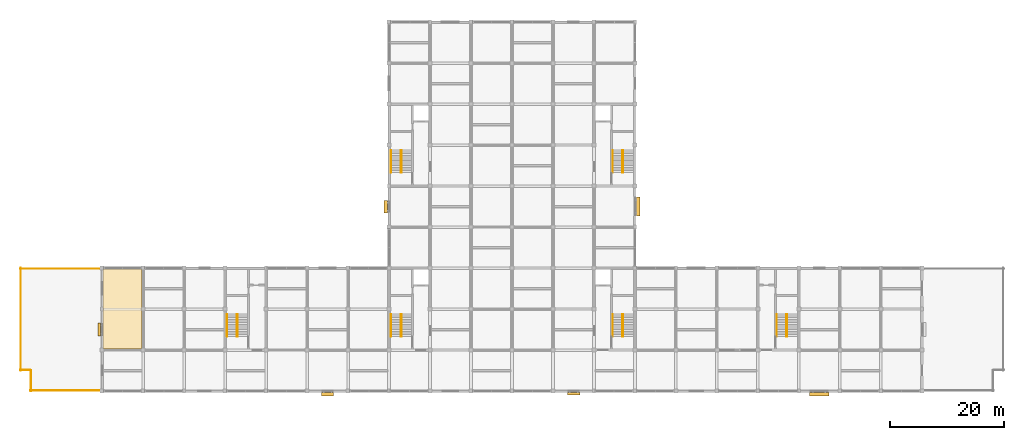
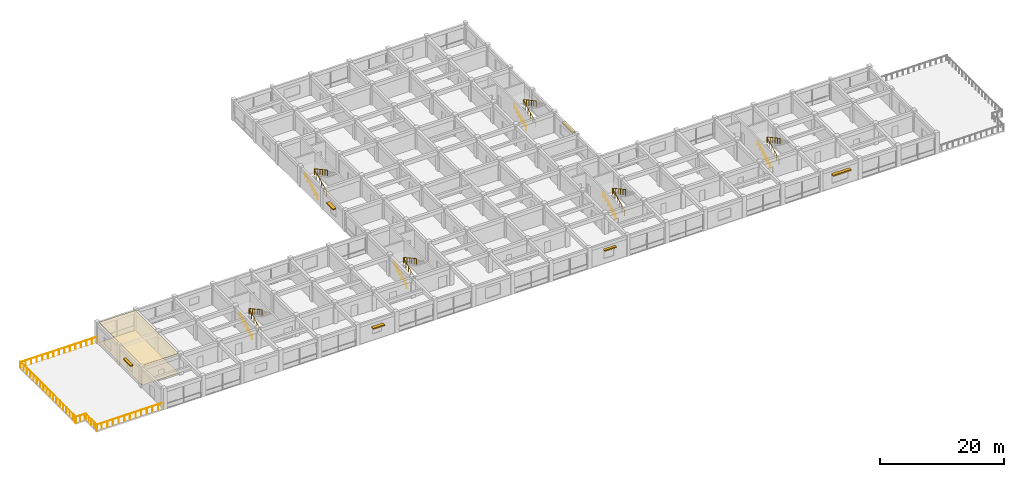
# One storey, part 30 of 31: 17 railings, 6 shading devices, 2 coverings.
"""IFC4 building model written with IfcOpenShell, lengths in metres."""

from ifc_helpers import new_model, si_unit, direction, frame, origin, origin_2d, place, context, subcontext, project, spatial, polyline, rectangle, circle, outline, extrude, material, layer, layer_set, type_object, element, save


model = new_model("IFC4")

# Units and contexts
model_context = context("Model", 3, precision=1e-05, world=origin(), true_north=direction((0.0, 1.0)))
body_context = subcontext(model_context, "Body", "Model", "MODEL_VIEW")
ifc_project = project(units=[si_unit("LENGTHUNIT", "METRE"), si_unit("AREAUNIT", "SQUARE_METRE"), si_unit("VOLUMEUNIT", "CUBIC_METRE"), si_unit("PLANEANGLEUNIT", "RADIAN"), si_unit("MASSUNIT", "GRAM", prefix="KILO")], contexts=[model_context])

# Site, building, storey
site_placement = place(None, origin())
site = spatial("IfcSite", under=ifc_project, at=site_placement, CompositionType="ELEMENT")
building_placement = place(site_placement, origin())
building = spatial("IfcBuilding", under=site, at=building_placement, Name="Cendaluz Park School", CompositionType="ELEMENT")
storey_placement = place(building_placement, frame((0.0, 0.0, 14.39990234375)))
storey = spatial("IfcBuildingStorey", under=building, at=storey_placement, Name="L03", CompositionType="ELEMENT", Elevation=14.39990234375)

# Coverings
ifc_material_1 = material(Name="Mineral Fibre Acoustic Tile")
ifc_layer_1 = layer(ifc_material_1, 0.030029296875)
ifc_layer_set_1 = layer_set([ifc_layer_1], Name="Mineral Fibre Acoustic Tile")
covering_type_1 = type_object("IfcCoveringType", Name="CV-CLG01", PredefinedType="CEILING", material=ifc_layer_set_1)
covering_1_placement = place(storey_placement, frame((0.0, 0.0, 3.91015625)))
element("IfcCovering", 1, at=covering_1_placement, inside=storey, type_object=covering_type_1, Name="CV-CLG-L03-01", PredefinedType="CEILING", context=body_context, shape_type="SweptSolid", body=[
    extrude(outline(polyline([(14.60009765625, 14.60009765625), (21.39990234375, 14.60009765625), (21.39990234375, 28.60009765625), (14.60009765625, 28.60009765625), (14.60009765625, 14.60009765625)])), origin(), (0.0, 0.0, 1.0), 0.030029296875),
])
ifc_material_2 = material(Name="Polished Terrazzo Tile")
ifc_layer_2 = layer(ifc_material_2, 0.02001953125)
ifc_layer_set_2 = layer_set([ifc_layer_2], Name="Polished Terrazzo Tile")
covering_type_2 = type_object("IfcCoveringType", Name="CV-FLR01", PredefinedType="FLOORING", material=ifc_layer_set_2)
covering_2_placement = place(storey_placement, origin())
element("IfcCovering", 2, at=covering_2_placement, inside=storey, type_object=covering_type_2, Name="CV-FLR-L03-01", PredefinedType="FLOORING", context=body_context, shape_type="SweptSolid", body=[
    extrude(outline(polyline([(14.60009765625, 14.60009765625), (21.39990234375, 14.60009765625), (21.39990234375, 28.60009765625), (14.60009765625, 28.60009765625), (14.60009765625, 14.60009765625)])), origin(), (0.0, 0.0, 1.0), 0.02001953125),
])

# Railings
ifc_material_3 = material(Name="Wrought Iron")
railing_type_1 = type_object("IfcRailingType", Name="GR-PD01", PredefinedType="BALUSTRADE", material=ifc_material_3)
railing_1_placement = place(storey_placement, frame((0.0, 28.699951171875, 0.0)))
element("IfcRailing", 3, at=railing_1_placement, inside=storey, type_object=railing_type_1, Name="GR-PD-L03-001", PredefinedType="BALUSTRADE", context=body_context, shape_type="SweptSolid", body=[
    extrude(circle(Radius=0.02392578125, at=origin_2d()), frame((0.0, 0.0, 1.1259765625), z_axis=(1.0, 0.0, 0.0), x_axis=(0.0, 1.0, 0.0)), (0.0, 0.0, 1.0), 14.39990234375),
    extrude(circle(Radius=0.02099609375, at=origin_2d()), origin(), (0.0, 0.0, 1.0), 1.101806640625),
    extrude(circle(Radius=0.02099609375, at=origin_2d()), frame((1.028564453125, 0.0, 0.0)), (0.0, 0.0, 1.0), 1.101806640625),
    extrude(circle(Radius=0.02099609375, at=origin_2d()), frame((2.05712890625, 0.0, 0.0)), (0.0, 0.0, 1.0), 1.101806640625),
    extrude(circle(Radius=0.02099609375, at=origin_2d()), frame((3.085693359375, 0.0, 0.0)), (0.0, 0.0, 1.0), 1.101806640625),
    extrude(circle(Radius=0.02099609375, at=origin_2d()), frame((4.1142578125, 0.0, 0.0)), (0.0, 0.0, 1.0), 1.101806640625),
    extrude(circle(Radius=0.02099609375, at=origin_2d()), frame((5.142822265625, 0.0, 0.0)), (0.0, 0.0, 1.0), 1.101806640625),
    extrude(circle(Radius=0.02099609375, at=origin_2d()), frame((6.17138671875, 0.0, 0.0)), (0.0, 0.0, 1.0), 1.101806640625),
    extrude(circle(Radius=0.02099609375, at=origin_2d()), frame((7.199951171875, 0.0, 0.0)), (0.0, 0.0, 1.0), 1.101806640625),
    extrude(circle(Radius=0.02099609375, at=origin_2d()), frame((8.228515625, 0.0, 0.0)), (0.0, 0.0, 1.0), 1.101806640625),
    extrude(circle(Radius=0.02099609375, at=origin_2d()), frame((9.257080078125, 0.0, 0.0)), (0.0, 0.0, 1.0), 1.101806640625),
    extrude(circle(Radius=0.02099609375, at=origin_2d()), frame((10.28564453125, 0.0, 0.0)), (0.0, 0.0, 1.0), 1.101806640625),
    extrude(circle(Radius=0.02099609375, at=origin_2d()), frame((11.314208984375, 0.0, 0.0)), (0.0, 0.0, 1.0), 1.101806640625),
    extrude(circle(Radius=0.02099609375, at=origin_2d()), frame((12.3427734375, 0.0, 0.0)), (0.0, 0.0, 1.0), 1.101806640625),
    extrude(circle(Radius=0.02099609375, at=origin_2d()), frame((13.371337890625, 0.0, 0.0)), (0.0, 0.0, 1.0), 1.101806640625),
    extrude(circle(Radius=0.02099609375, at=origin_2d()), frame((14.39990234375, 0.0, 0.0)), (0.0, 0.0, 1.0), 1.101806640625),
])
railing_2_placement = place(storey_placement, frame((14.39990234375, 7.300048828125, 0.0)))
element("IfcRailing", 4, at=railing_2_placement, inside=storey, type_object=railing_type_1, Name="GR-PD-L03-002", PredefinedType="BALUSTRADE", context=body_context, shape_type="SweptSolid", body=[
    extrude(circle(Radius=0.02392578125, at=origin_2d()), frame((0.0, 0.0, 1.1259765625), z_axis=(-1.0, 0.0, 0.0), x_axis=(0.0, -1.0, 0.0)), (0.0, 0.0, 1.0), 12.599853515625),
    extrude(circle(Radius=0.02099609375, at=origin_2d()), origin(), (0.0, 0.0, 1.0), 1.101806640625),
    extrude(circle(Radius=0.02099609375, at=origin_2d()), frame((-1.050048828125, 0.0, 0.0)), (0.0, 0.0, 1.0), 1.101806640625),
    extrude(circle(Radius=0.02099609375, at=origin_2d()), frame((-2.10009765625, 0.0, 0.0)), (0.0, 0.0, 1.0), 1.101806640625),
    extrude(circle(Radius=0.02099609375, at=origin_2d()), frame((-3.14990234375, 0.0, 0.0)), (0.0, 0.0, 1.0), 1.101806640625),
    extrude(circle(Radius=0.02099609375, at=origin_2d()), frame((-4.199951171875, 0.0, 0.0)), (0.0, 0.0, 1.0), 1.101806640625),
    extrude(circle(Radius=0.02099609375, at=origin_2d()), frame((-5.25, 0.0, 0.0)), (0.0, 0.0, 1.0), 1.101806640625),
    extrude(circle(Radius=0.02099609375, at=origin_2d()), frame((-6.2998046875, 0.0, 0.0)), (0.0, 0.0, 1.0), 1.101806640625),
    extrude(circle(Radius=0.02099609375, at=origin_2d()), frame((-7.349853515625, 0.0, 0.0)), (0.0, 0.0, 1.0), 1.101806640625),
    extrude(circle(Radius=0.02099609375, at=origin_2d()), frame((-8.39990234375, 0.0, 0.0)), (0.0, 0.0, 1.0), 1.101806640625),
    extrude(circle(Radius=0.02099609375, at=origin_2d()), frame((-9.449951171875, 0.0, 0.0)), (0.0, 0.0, 1.0), 1.101806640625),
    extrude(circle(Radius=0.02099609375, at=origin_2d()), frame((-10.5, 0.0, 0.0)), (0.0, 0.0, 1.0), 1.101806640625),
    extrude(circle(Radius=0.02099609375, at=origin_2d()), frame((-11.5498046875, 0.0, 0.0)), (0.0, 0.0, 1.0), 1.101806640625),
    extrude(circle(Radius=0.02099609375, at=origin_2d()), frame((-12.599853515625, 0.0, 0.0)), (0.0, 0.0, 1.0), 1.101806640625),
])
railing_3_placement = place(storey_placement, frame((1.89990234375, 7.199951171875, 0.0)))
element("IfcRailing", 5, at=railing_3_placement, inside=storey, type_object=railing_type_1, Name="GR-PD-L03-003", PredefinedType="BALUSTRADE", context=body_context, shape_type="SweptSolid", body=[
    extrude(circle(Radius=0.02392578125, at=origin_2d()), frame((0.0, 0.0, 1.1259765625), z_axis=(0.0, 1.0, 0.0), x_axis=(-1.0, 0.0, 0.0)), (0.0, 0.0, 1.0), 3.60009765625),
    extrude(circle(Radius=0.02099609375, at=origin_2d()), origin(), (0.0, 0.0, 1.0), 1.101806640625),
    extrude(circle(Radius=0.02099609375, at=origin_2d()), frame((0.0, 0.89990234375, 0.0)), (0.0, 0.0, 1.0), 1.101806640625),
    extrude(circle(Radius=0.02099609375, at=origin_2d()), frame((0.0, 1.800048828125, 0.0)), (0.0, 0.0, 1.0), 1.101806640625),
    extrude(circle(Radius=0.02099609375, at=origin_2d()), frame((0.0, 2.7001953125, 0.0)), (0.0, 0.0, 1.0), 1.101806640625),
    extrude(circle(Radius=0.02099609375, at=origin_2d()), frame((0.0, 3.60009765625, 0.0)), (0.0, 0.0, 1.0), 1.101806640625),
])
railing_4_placement = place(storey_placement, frame((1.800048828125, 10.89990234375, 0.0)))
element("IfcRailing", 6, at=railing_4_placement, inside=storey, type_object=railing_type_1, Name="GR-PD-L03-004", PredefinedType="BALUSTRADE", context=body_context, shape_type="SweptSolid", body=[
    extrude(circle(Radius=0.02392578125, at=origin_2d()), frame((0.0, 0.0, 1.1259765625), z_axis=(-1.0, 0.0, 0.0), x_axis=(0.0, -1.0, 0.0)), (0.0, 0.0, 1.0), 1.800048828125),
    extrude(circle(Radius=0.02099609375, at=origin_2d()), origin(), (0.0, 0.0, 1.0), 1.101806640625),
    extrude(circle(Radius=0.02099609375, at=origin_2d()), frame((-0.89990234375, 0.0, 0.0)), (0.0, 0.0, 1.0), 1.101806640625),
    extrude(circle(Radius=0.02099609375, at=origin_2d()), frame((-1.800048828125, 0.0, 0.0)), (0.0, 0.0, 1.0), 1.101806640625),
])
railing_5_placement = place(storey_placement, frame((0.10009765625, 10.800048828125, 0.0)))
element("IfcRailing", 7, at=railing_5_placement, inside=storey, type_object=railing_type_1, Name="GR-PD-L03-005", PredefinedType="BALUSTRADE", context=body_context, shape_type="SweptSolid", body=[
    extrude(circle(Radius=0.02392578125, at=origin_2d()), frame((0.0, 0.0, 1.1259765625), z_axis=(0.0, 1.0, 0.0), x_axis=(-1.0, 0.0, 0.0)), (0.0, 0.0, 1.0), 18.0),
    extrude(circle(Radius=0.02099609375, at=origin_2d()), origin(), (0.0, 0.0, 1.0), 1.101806640625),
    extrude(circle(Radius=0.02099609375, at=origin_2d()), frame((0.0, 1.058837890625, 0.0)), (0.0, 0.0, 1.0), 1.101806640625),
    extrude(circle(Radius=0.02099609375, at=origin_2d()), frame((0.0, 2.11767578125, 0.0)), (0.0, 0.0, 1.0), 1.101806640625),
    extrude(circle(Radius=0.02099609375, at=origin_2d()), frame((0.0, 3.176513671875, 0.0)), (0.0, 0.0, 1.0), 1.101806640625),
    extrude(circle(Radius=0.02099609375, at=origin_2d()), frame((0.0, 4.2353515625, 0.0)), (0.0, 0.0, 1.0), 1.101806640625),
    extrude(circle(Radius=0.02099609375, at=origin_2d()), frame((0.0, 5.294189453125, 0.0)), (0.0, 0.0, 1.0), 1.101806640625),
    extrude(circle(Radius=0.02099609375, at=origin_2d()), frame((0.0, 6.35302734375, 0.0)), (0.0, 0.0, 1.0), 1.101806640625),
    extrude(circle(Radius=0.02099609375, at=origin_2d()), frame((0.0, 7.411865234375, 0.0)), (0.0, 0.0, 1.0), 1.101806640625),
    extrude(circle(Radius=0.02099609375, at=origin_2d()), frame((0.0, 8.470703125, 0.0)), (0.0, 0.0, 1.0), 1.101806640625),
    extrude(circle(Radius=0.02099609375, at=origin_2d()), frame((0.0, 9.529296875, 0.0)), (0.0, 0.0, 1.0), 1.101806640625),
    extrude(circle(Radius=0.02099609375, at=origin_2d()), frame((0.0, 10.588134765625, 0.0)), (0.0, 0.0, 1.0), 1.101806640625),
    extrude(circle(Radius=0.02099609375, at=origin_2d()), frame((0.0, 11.64697265625, 0.0)), (0.0, 0.0, 1.0), 1.101806640625),
    extrude(circle(Radius=0.02099609375, at=origin_2d()), frame((0.0, 12.705810546875, 0.0)), (0.0, 0.0, 1.0), 1.101806640625),
    extrude(circle(Radius=0.02099609375, at=origin_2d()), frame((0.0, 13.7646484375, 0.0)), (0.0, 0.0, 1.0), 1.101806640625),
    extrude(circle(Radius=0.02099609375, at=origin_2d()), frame((0.0, 14.823486328125, 0.0)), (0.0, 0.0, 1.0), 1.101806640625),
    extrude(circle(Radius=0.02099609375, at=origin_2d()), frame((0.0, 15.88232421875, 0.0)), (0.0, 0.0, 1.0), 1.101806640625),
    extrude(circle(Radius=0.02099609375, at=origin_2d()), frame((0.0, 16.941162109375, 0.0)), (0.0, 0.0, 1.0), 1.101806640625),
    extrude(circle(Radius=0.02099609375, at=origin_2d()), frame((0.0, 18.0, 0.0)), (0.0, 0.0, 1.0), 1.101806640625),
])
railing_type_2 = type_object("IfcRailingType", Name="GR-ST01", PredefinedType="BALUSTRADE", material=ifc_material_3)
railing_6_placement = place(storey_placement, frame((66.840087890625, 16.800048828125, 0.150146484375)))
element("IfcRailing", 8, at=railing_6_placement, inside=storey, type_object=railing_type_2, Name="GR-ST-009", PredefinedType="BALUSTRADE", context=body_context, shape_type="SweptSolid", body=[
    extrude(circle(Radius=0.02392578125, at=origin_2d()), frame((0.0, 0.0, 1.076171875), z_axis=(0.0, 0.894427191, 0.4472135955), x_axis=(-1.0, 0.0, 0.0)), (0.0, 0.0, 1.0), 4.360107421875),
    extrude(circle(Radius=0.02392578125, at=origin_2d()), frame((0.0, 3.89990234375, 3.02587890625), z_axis=(1.0, 0.0, 0.0), x_axis=(0.0, 1.0, 0.0)), (0.0, 0.0, 1.0), 0.169921875),
    extrude(circle(Radius=0.02392578125, at=origin_2d()), frame((0.169921875, 3.89990234375, 3.02587890625), z_axis=(0.0, -0.880456940745, 0.474126117709), x_axis=(1.0, 0.0, 0.0)), (0.0, 0.0, 1.0), 4.429443359375),
    extrude(circle(Radius=0.02099609375, at=origin_2d()), origin(), (0.0, 0.0, 1.0), 1.052001953125),
    extrude(circle(Radius=0.02099609375, at=origin_2d()), frame((0.0, 0.780029296875, 0.389892578125)), (0.0, 0.0, 1.0), 1.052001953125),
    extrude(circle(Radius=0.02099609375, at=origin_2d()), frame((0.0, 1.56005859375, 0.780029296875)), (0.0, 0.0, 1.0), 1.052001953125),
    extrude(circle(Radius=0.02099609375, at=origin_2d()), frame((0.0, 2.33984375, 1.169921875)), (0.0, 0.0, 1.0), 1.052001953125),
    extrude(circle(Radius=0.02099609375, at=origin_2d()), frame((0.0, 3.119873046875, 1.56005859375)), (0.0, 0.0, 1.0), 1.052001953125),
    extrude(circle(Radius=0.02099609375, at=origin_2d()), frame((0.0, 3.89990234375, 1.949951171875)), (0.0, 0.0, 1.0), 1.052001953125),
    extrude(circle(Radius=0.02099609375, at=origin_2d()), frame((0.169921875, 3.89990234375, 1.949951171875)), (0.0, 0.0, 1.0), 1.052001953125),
    extrude(circle(Radius=0.02099609375, at=origin_2d()), frame((0.169921875, 3.119873046875, 2.369873046875)), (0.0, 0.0, 1.0), 1.052001953125),
    extrude(circle(Radius=0.02099609375, at=origin_2d()), frame((0.169921875, 2.33984375, 2.7900390625)), (0.0, 0.0, 1.0), 1.052001953125),
    extrude(circle(Radius=0.02099609375, at=origin_2d()), frame((0.169921875, 1.56005859375, 3.2099609375)), (0.0, 0.0, 1.0), 1.052001953125),
    extrude(circle(Radius=0.02099609375, at=origin_2d()), frame((0.169921875, 0.780029296875, 3.630126953125)), (0.0, 0.0, 1.0), 1.052001953125),
    extrude(circle(Radius=0.02099609375, at=origin_2d()), frame((0.169921875, 0.0, 4.050048828125)), (0.0, 0.0, 1.0), 1.052001953125),
])
railing_7_placement = place(storey_placement, frame((105.7900390625, 16.800048828125, 0.150146484375)))
element("IfcRailing", 9, at=railing_7_placement, inside=storey, type_object=railing_type_2, Name="GR-ST-044", PredefinedType="BALUSTRADE", context=body_context, shape_type="SweptSolid", body=[
    extrude(circle(Radius=0.02392578125, at=origin_2d()), frame((0.0, 0.0, 1.076171875), z_axis=(0.0, 0.894427191, 0.4472135955), x_axis=(-1.0, 0.0, 0.0)), (0.0, 0.0, 1.0), 4.360107421875),
    extrude(circle(Radius=0.02392578125, at=origin_2d()), frame((0.0, 3.89990234375, 3.02587890625), z_axis=(1.0, 0.0, 0.0), x_axis=(0.0, 1.0, 0.0)), (0.0, 0.0, 1.0), 0.169921875),
    extrude(circle(Radius=0.02392578125, at=origin_2d()), frame((0.169921875, 3.89990234375, 3.02587890625), z_axis=(0.0, -0.880456940745, 0.474126117709), x_axis=(1.0, 0.0, 0.0)), (0.0, 0.0, 1.0), 4.429443359375),
    extrude(circle(Radius=0.02099609375, at=origin_2d()), origin(), (0.0, 0.0, 1.0), 1.052001953125),
    extrude(circle(Radius=0.02099609375, at=origin_2d()), frame((0.0, 0.780029296875, 0.389892578125)), (0.0, 0.0, 1.0), 1.052001953125),
    extrude(circle(Radius=0.02099609375, at=origin_2d()), frame((0.0, 1.56005859375, 0.780029296875)), (0.0, 0.0, 1.0), 1.052001953125),
    extrude(circle(Radius=0.02099609375, at=origin_2d()), frame((0.0, 2.33984375, 1.169921875)), (0.0, 0.0, 1.0), 1.052001953125),
    extrude(circle(Radius=0.02099609375, at=origin_2d()), frame((0.0, 3.119873046875, 1.56005859375)), (0.0, 0.0, 1.0), 1.052001953125),
    extrude(circle(Radius=0.02099609375, at=origin_2d()), frame((0.0, 3.89990234375, 1.949951171875)), (0.0, 0.0, 1.0), 1.052001953125),
    extrude(circle(Radius=0.02099609375, at=origin_2d()), frame((0.169921875, 3.89990234375, 1.949951171875)), (0.0, 0.0, 1.0), 1.052001953125),
    extrude(circle(Radius=0.02099609375, at=origin_2d()), frame((0.169921875, 3.119873046875, 2.369873046875)), (0.0, 0.0, 1.0), 1.052001953125),
    extrude(circle(Radius=0.02099609375, at=origin_2d()), frame((0.169921875, 2.33984375, 2.7900390625)), (0.0, 0.0, 1.0), 1.052001953125),
    extrude(circle(Radius=0.02099609375, at=origin_2d()), frame((0.169921875, 1.56005859375, 3.2099609375)), (0.0, 0.0, 1.0), 1.052001953125),
    extrude(circle(Radius=0.02099609375, at=origin_2d()), frame((0.169921875, 0.780029296875, 3.630126953125)), (0.0, 0.0, 1.0), 1.052001953125),
    extrude(circle(Radius=0.02099609375, at=origin_2d()), frame((0.169921875, 0.0, 4.050048828125)), (0.0, 0.0, 1.0), 1.052001953125),
])
railing_8_placement = place(storey_placement, frame((66.840087890625, 45.60009765625, 0.150146484375)))
element("IfcRailing", 10, at=railing_8_placement, inside=storey, type_object=railing_type_2, Name="GR-ST-079", PredefinedType="BALUSTRADE", context=body_context, shape_type="SweptSolid", body=[
    extrude(circle(Radius=0.02392578125, at=origin_2d()), frame((0.0, 0.0, 1.076171875), z_axis=(0.0, 0.894427191, 0.4472135955), x_axis=(-1.0, 0.0, 0.0)), (0.0, 0.0, 1.0), 4.360107421875),
    extrude(circle(Radius=0.02392578125, at=origin_2d()), frame((0.0, 3.89990234375, 3.02587890625), z_axis=(1.0, 0.0, 0.0), x_axis=(0.0, 1.0, 0.0)), (0.0, 0.0, 1.0), 0.169921875),
    extrude(circle(Radius=0.02392578125, at=origin_2d()), frame((0.169921875, 3.89990234375, 3.02587890625), z_axis=(0.0, -0.880456940745, 0.474126117709), x_axis=(1.0, 0.0, 0.0)), (0.0, 0.0, 1.0), 4.429443359375),
    extrude(circle(Radius=0.02099609375, at=origin_2d()), origin(), (0.0, 0.0, 1.0), 1.052001953125),
    extrude(circle(Radius=0.02099609375, at=origin_2d()), frame((0.0, 0.780029296875, 0.389892578125)), (0.0, 0.0, 1.0), 1.052001953125),
    extrude(circle(Radius=0.02099609375, at=origin_2d()), frame((0.0, 1.56005859375, 0.780029296875)), (0.0, 0.0, 1.0), 1.052001953125),
    extrude(circle(Radius=0.02099609375, at=origin_2d()), frame((0.0, 2.33984375, 1.169921875)), (0.0, 0.0, 1.0), 1.052001953125),
    extrude(circle(Radius=0.02099609375, at=origin_2d()), frame((0.0, 3.119873046875, 1.56005859375)), (0.0, 0.0, 1.0), 1.052001953125),
    extrude(circle(Radius=0.02099609375, at=origin_2d()), frame((0.0, 3.89990234375, 1.949951171875)), (0.0, 0.0, 1.0), 1.052001953125),
    extrude(circle(Radius=0.02099609375, at=origin_2d()), frame((0.169921875, 3.89990234375, 1.949951171875)), (0.0, 0.0, 1.0), 1.052001953125),
    extrude(circle(Radius=0.02099609375, at=origin_2d()), frame((0.169921875, 3.119873046875, 2.369873046875)), (0.0, 0.0, 1.0), 1.052001953125),
    extrude(circle(Radius=0.02099609375, at=origin_2d()), frame((0.169921875, 2.33984375, 2.7900390625)), (0.0, 0.0, 1.0), 1.052001953125),
    extrude(circle(Radius=0.02099609375, at=origin_2d()), frame((0.169921875, 1.56005859375, 3.2099609375)), (0.0, 0.0, 1.0), 1.052001953125),
    extrude(circle(Radius=0.02099609375, at=origin_2d()), frame((0.169921875, 0.780029296875, 3.630126953125)), (0.0, 0.0, 1.0), 1.052001953125),
    extrude(circle(Radius=0.02099609375, at=origin_2d()), frame((0.169921875, 0.0, 4.050048828125)), (0.0, 0.0, 1.0), 1.052001953125),
])
railing_9_placement = place(storey_placement, frame((105.7900390625, 45.60009765625, 0.150146484375)))
element("IfcRailing", 11, at=railing_9_placement, inside=storey, type_object=railing_type_2, Name="GR-ST-114", PredefinedType="BALUSTRADE", context=body_context, shape_type="SweptSolid", body=[
    extrude(circle(Radius=0.02392578125, at=origin_2d()), frame((0.0, 0.0, 1.076171875), z_axis=(0.0, 0.894427191, 0.4472135955), x_axis=(-1.0, 0.0, 0.0)), (0.0, 0.0, 1.0), 4.360107421875),
    extrude(circle(Radius=0.02392578125, at=origin_2d()), frame((0.0, 3.89990234375, 3.02587890625), z_axis=(1.0, 0.0, 0.0), x_axis=(0.0, 1.0, 0.0)), (0.0, 0.0, 1.0), 0.169921875),
    extrude(circle(Radius=0.02392578125, at=origin_2d()), frame((0.169921875, 3.89990234375, 3.02587890625), z_axis=(0.0, -0.880456940745, 0.474126117709), x_axis=(1.0, 0.0, 0.0)), (0.0, 0.0, 1.0), 4.429443359375),
    extrude(circle(Radius=0.02099609375, at=origin_2d()), origin(), (0.0, 0.0, 1.0), 1.052001953125),
    extrude(circle(Radius=0.02099609375, at=origin_2d()), frame((0.0, 0.780029296875, 0.389892578125)), (0.0, 0.0, 1.0), 1.052001953125),
    extrude(circle(Radius=0.02099609375, at=origin_2d()), frame((0.0, 1.56005859375, 0.780029296875)), (0.0, 0.0, 1.0), 1.052001953125),
    extrude(circle(Radius=0.02099609375, at=origin_2d()), frame((0.0, 2.33984375, 1.169921875)), (0.0, 0.0, 1.0), 1.052001953125),
    extrude(circle(Radius=0.02099609375, at=origin_2d()), frame((0.0, 3.119873046875, 1.56005859375)), (0.0, 0.0, 1.0), 1.052001953125),
    extrude(circle(Radius=0.02099609375, at=origin_2d()), frame((0.0, 3.89990234375, 1.949951171875)), (0.0, 0.0, 1.0), 1.052001953125),
    extrude(circle(Radius=0.02099609375, at=origin_2d()), frame((0.169921875, 3.89990234375, 1.949951171875)), (0.0, 0.0, 1.0), 1.052001953125),
    extrude(circle(Radius=0.02099609375, at=origin_2d()), frame((0.169921875, 3.119873046875, 2.369873046875)), (0.0, 0.0, 1.0), 1.052001953125),
    extrude(circle(Radius=0.02099609375, at=origin_2d()), frame((0.169921875, 2.33984375, 2.7900390625)), (0.0, 0.0, 1.0), 1.052001953125),
    extrude(circle(Radius=0.02099609375, at=origin_2d()), frame((0.169921875, 1.56005859375, 3.2099609375)), (0.0, 0.0, 1.0), 1.052001953125),
    extrude(circle(Radius=0.02099609375, at=origin_2d()), frame((0.169921875, 0.780029296875, 3.630126953125)), (0.0, 0.0, 1.0), 1.052001953125),
    extrude(circle(Radius=0.02099609375, at=origin_2d()), frame((0.169921875, 0.0, 4.050048828125)), (0.0, 0.0, 1.0), 1.052001953125),
])
railing_10_placement = place(storey_placement, frame((38.0400390625, 16.800048828125, 0.150146484375)))
element("IfcRailing", 12, at=railing_10_placement, inside=storey, type_object=railing_type_2, Name="GR-ST-149", PredefinedType="BALUSTRADE", context=body_context, shape_type="SweptSolid", body=[
    extrude(circle(Radius=0.02392578125, at=origin_2d()), frame((0.0, 0.0, 1.076171875), z_axis=(0.0, 0.894427191, 0.4472135955), x_axis=(-1.0, 0.0, 0.0)), (0.0, 0.0, 1.0), 4.360107421875),
    extrude(circle(Radius=0.02392578125, at=origin_2d()), frame((0.0, 3.89990234375, 3.02587890625), z_axis=(1.0, 0.0, 0.0), x_axis=(0.0, 1.0, 0.0)), (0.0, 0.0, 1.0), 0.169921875),
    extrude(circle(Radius=0.02392578125, at=origin_2d()), frame((0.169921875, 3.89990234375, 3.02587890625), z_axis=(0.0, -0.880456940745, 0.474126117709), x_axis=(1.0, 0.0, 0.0)), (0.0, 0.0, 1.0), 4.429443359375),
    extrude(circle(Radius=0.02099609375, at=origin_2d()), origin(), (0.0, 0.0, 1.0), 1.052001953125),
    extrude(circle(Radius=0.02099609375, at=origin_2d()), frame((0.0, 0.780029296875, 0.389892578125)), (0.0, 0.0, 1.0), 1.052001953125),
    extrude(circle(Radius=0.02099609375, at=origin_2d()), frame((0.0, 1.56005859375, 0.780029296875)), (0.0, 0.0, 1.0), 1.052001953125),
    extrude(circle(Radius=0.02099609375, at=origin_2d()), frame((0.0, 2.33984375, 1.169921875)), (0.0, 0.0, 1.0), 1.052001953125),
    extrude(circle(Radius=0.02099609375, at=origin_2d()), frame((0.0, 3.119873046875, 1.56005859375)), (0.0, 0.0, 1.0), 1.052001953125),
    extrude(circle(Radius=0.02099609375, at=origin_2d()), frame((0.0, 3.89990234375, 1.949951171875)), (0.0, 0.0, 1.0), 1.052001953125),
    extrude(circle(Radius=0.02099609375, at=origin_2d()), frame((0.169921875, 3.89990234375, 1.949951171875)), (0.0, 0.0, 1.0), 1.052001953125),
    extrude(circle(Radius=0.02099609375, at=origin_2d()), frame((0.169921875, 3.119873046875, 2.369873046875)), (0.0, 0.0, 1.0), 1.052001953125),
    extrude(circle(Radius=0.02099609375, at=origin_2d()), frame((0.169921875, 2.33984375, 2.7900390625)), (0.0, 0.0, 1.0), 1.052001953125),
    extrude(circle(Radius=0.02099609375, at=origin_2d()), frame((0.169921875, 1.56005859375, 3.2099609375)), (0.0, 0.0, 1.0), 1.052001953125),
    extrude(circle(Radius=0.02099609375, at=origin_2d()), frame((0.169921875, 0.780029296875, 3.630126953125)), (0.0, 0.0, 1.0), 1.052001953125),
    extrude(circle(Radius=0.02099609375, at=origin_2d()), frame((0.169921875, 0.0, 4.050048828125)), (0.0, 0.0, 1.0), 1.052001953125),
])
railing_11_placement = place(storey_placement, frame((134.590087890625, 16.800048828125, 0.150146484375)))
element("IfcRailing", 13, at=railing_11_placement, inside=storey, type_object=railing_type_2, Name="GR-ST-166", PredefinedType="BALUSTRADE", context=body_context, shape_type="SweptSolid", body=[
    extrude(circle(Radius=0.02392578125, at=origin_2d()), frame((0.0, 0.0, 1.076171875), z_axis=(0.0, 0.894427191, 0.4472135955), x_axis=(-1.0, 0.0, 0.0)), (0.0, 0.0, 1.0), 4.360107421875),
    extrude(circle(Radius=0.02392578125, at=origin_2d()), frame((0.0, 3.89990234375, 3.02587890625), z_axis=(1.0, 0.0, 0.0), x_axis=(0.0, 1.0, 0.0)), (0.0, 0.0, 1.0), 0.169921875),
    extrude(circle(Radius=0.02392578125, at=origin_2d()), frame((0.169921875, 3.89990234375, 3.02587890625), z_axis=(0.0, -0.880456940745, 0.474126117709), x_axis=(1.0, 0.0, 0.0)), (0.0, 0.0, 1.0), 4.429443359375),
    extrude(circle(Radius=0.02099609375, at=origin_2d()), origin(), (0.0, 0.0, 1.0), 1.052001953125),
    extrude(circle(Radius=0.02099609375, at=origin_2d()), frame((0.0, 0.780029296875, 0.389892578125)), (0.0, 0.0, 1.0), 1.052001953125),
    extrude(circle(Radius=0.02099609375, at=origin_2d()), frame((0.0, 1.56005859375, 0.780029296875)), (0.0, 0.0, 1.0), 1.052001953125),
    extrude(circle(Radius=0.02099609375, at=origin_2d()), frame((0.0, 2.33984375, 1.169921875)), (0.0, 0.0, 1.0), 1.052001953125),
    extrude(circle(Radius=0.02099609375, at=origin_2d()), frame((0.0, 3.119873046875, 1.56005859375)), (0.0, 0.0, 1.0), 1.052001953125),
    extrude(circle(Radius=0.02099609375, at=origin_2d()), frame((0.0, 3.89990234375, 1.949951171875)), (0.0, 0.0, 1.0), 1.052001953125),
    extrude(circle(Radius=0.02099609375, at=origin_2d()), frame((0.169921875, 3.89990234375, 1.949951171875)), (0.0, 0.0, 1.0), 1.052001953125),
    extrude(circle(Radius=0.02099609375, at=origin_2d()), frame((0.169921875, 3.119873046875, 2.369873046875)), (0.0, 0.0, 1.0), 1.052001953125),
    extrude(circle(Radius=0.02099609375, at=origin_2d()), frame((0.169921875, 2.33984375, 2.7900390625)), (0.0, 0.0, 1.0), 1.052001953125),
    extrude(circle(Radius=0.02099609375, at=origin_2d()), frame((0.169921875, 1.56005859375, 3.2099609375)), (0.0, 0.0, 1.0), 1.052001953125),
    extrude(circle(Radius=0.02099609375, at=origin_2d()), frame((0.169921875, 0.780029296875, 3.630126953125)), (0.0, 0.0, 1.0), 1.052001953125),
    extrude(circle(Radius=0.02099609375, at=origin_2d()), frame((0.169921875, 0.0, 4.050048828125)), (0.0, 0.0, 1.0), 1.052001953125),
])
ifc_material_4 = material(Name="Architectural Bronze")
railing_type_3 = type_object("IfcRailingType", Name="HR-ST01", PredefinedType="HANDRAIL", material=ifc_material_4)
for number, where, name in (
    (14, (65.14990234375, 16.800048828125, 0.150146484375), "HR-ST-010"),
    (15, (104.10009765625, 16.800048828125, 0.150146484375), "HR-ST-045"),
    (16, (65.14990234375, 45.60009765625, 0.150146484375), "HR-ST-080"),
    (17, (104.10009765625, 45.60009765625, 0.150146484375), "HR-ST-115"),
    (18, (36.35009765625, 16.800048828125, 0.150146484375), "HR-ST-150"),
    (19, (132.89990234375, 16.800048828125, 0.150146484375), "HR-ST-167"),
):
    element("IfcRailing", number, at=place(storey_placement, frame(where)), inside=storey, type_object=railing_type_3, Name=name, PredefinedType="HANDRAIL", context=body_context, shape_type="SweptSolid", body=[
        extrude(circle(Radius=0.02392578125, at=origin_2d()), frame((0.0, 0.0, 0.8759765625), z_axis=(0.0, 0.894427191, 0.4472135955), x_axis=(-1.0, 0.0, 0.0)), (0.0, 0.0, 1.0), 4.360107421875),
        extrude(circle(Radius=0.02099609375, at=origin_2d()), origin(), (0.0, 0.0, 1.0), 0.851806640625),
        extrude(circle(Radius=0.02099609375, at=origin_2d()), frame((0.0, 0.780029296875, 0.389892578125)), (0.0, 0.0, 1.0), 0.851806640625),
        extrude(circle(Radius=0.02099609375, at=origin_2d()), frame((0.0, 1.56005859375, 0.780029296875)), (0.0, 0.0, 1.0), 0.851806640625),
        extrude(circle(Radius=0.02099609375, at=origin_2d()), frame((0.0, 2.33984375, 1.169921875)), (0.0, 0.0, 1.0), 0.851806640625),
        extrude(circle(Radius=0.02099609375, at=origin_2d()), frame((0.0, 3.119873046875, 1.56005859375)), (0.0, 0.0, 1.0), 0.851806640625),
        extrude(circle(Radius=0.02099609375, at=origin_2d()), frame((0.0, 3.89990234375, 1.949951171875)), (0.0, 0.0, 1.0), 0.851806640625),
    ])

# Shading devices
ifc_material_5 = material(Name="Anodised Aluminium 6063-T6", Category="aluminium")
shading_device_type_1 = type_object("IfcShadingDeviceType", Name="SD-01", PredefinedType="JALOUSIE", material=ifc_material_5)
shading_device_1_placement = place(storey_placement, frame((54.0, 6.64990234375, 2.5703125), z_axis=(0.0, 0.0, 1.0), x_axis=(1.0, 0.0, 0.0)))
element("IfcShadingDevice", 20, at=shading_device_1_placement, inside=storey, type_object=shading_device_type_1, Name="SD-L03-055", PredefinedType="JALOUSIE", context=body_context, shape_type="SweptSolid", body=[
    extrude(rectangle(XDim=2.14990234375, YDim=0.60009765625, at=origin_2d()), origin(), (0.0, 0.0, 1.0), 0.239990234375),
])
shading_device_2_placement = place(storey_placement, frame((64.25, 39.58740234375, 2.72021484375), z_axis=(0.0, 0.0, 1.0), x_axis=(0.0, 1.0, 0.0)))
element("IfcShadingDevice", 21, at=shading_device_2_placement, inside=storey, type_object=shading_device_type_1, Name="SD-L03-056", PredefinedType="JALOUSIE", context=body_context, shape_type="SweptSolid", body=[
    extrude(rectangle(XDim=2.199951171875, YDim=0.60009765625, at=origin_2d()), origin(), (0.0, 0.0, 1.0), 0.239990234375),
])
for number, where, z_axis, x_axis, name in (
    (22, (108.550048828125, 39.612548828125, 2.72021484375), (0.0, 0.0, 1.0), (0.0, 1.0, 0.0), "SD-L03-058"),
    (23, (140.35009765625, 6.64990234375, 2.72021484375), (0.0, 0.0, 1.0), (1.0, 0.0, 0.0), "SD-L03-059"),
):
    element("IfcShadingDevice", number, at=place(storey_placement, frame(where, z_axis=z_axis, x_axis=x_axis)), inside=storey, type_object=shading_device_type_1, Name=name, PredefinedType="JALOUSIE", context=body_context, shape_type="SweptSolid", body=[
        extrude(rectangle(XDim=3.39990234375, YDim=0.60009765625, at=origin_2d()), origin(), (0.0, 0.0, 1.0), 0.239990234375),
    ])
shading_device_type_2 = type_object("IfcShadingDeviceType", Name="SD-02", PredefinedType="SHUTTER", material=ifc_material_4)
shading_device_3_placement = place(storey_placement, frame((13.925048828125, 17.987548828125, 2.6201171875), z_axis=(0.0, 0.0, 1.0), x_axis=(0.0, 1.0, 0.0)))
element("IfcShadingDevice", 24, at=shading_device_3_placement, inside=storey, type_object=shading_device_type_2, Name="SD-L03-054", PredefinedType="SHUTTER", context=body_context, shape_type="SweptSolid", body=[
    extrude(rectangle(XDim=2.300048828125, YDim=0.449951171875, at=origin_2d()), origin(), (0.0, 0.0, 1.0), 0.239990234375),
])
shading_device_4_placement = place(storey_placement, frame((97.25, 6.72509765625, 2.72021484375), z_axis=(0.0, 0.0, 1.0), x_axis=(1.0, 0.0, 0.0)))
element("IfcShadingDevice", 25, at=shading_device_4_placement, inside=storey, type_object=shading_device_type_2, Name="SD-L03-057", PredefinedType="SHUTTER", context=body_context, shape_type="SweptSolid", body=[
    extrude(rectangle(XDim=2.199951171875, YDim=0.449951171875, at=origin_2d()), origin(), (0.0, 0.0, 1.0), 0.239990234375),
])

save(model, "model.ifc")
